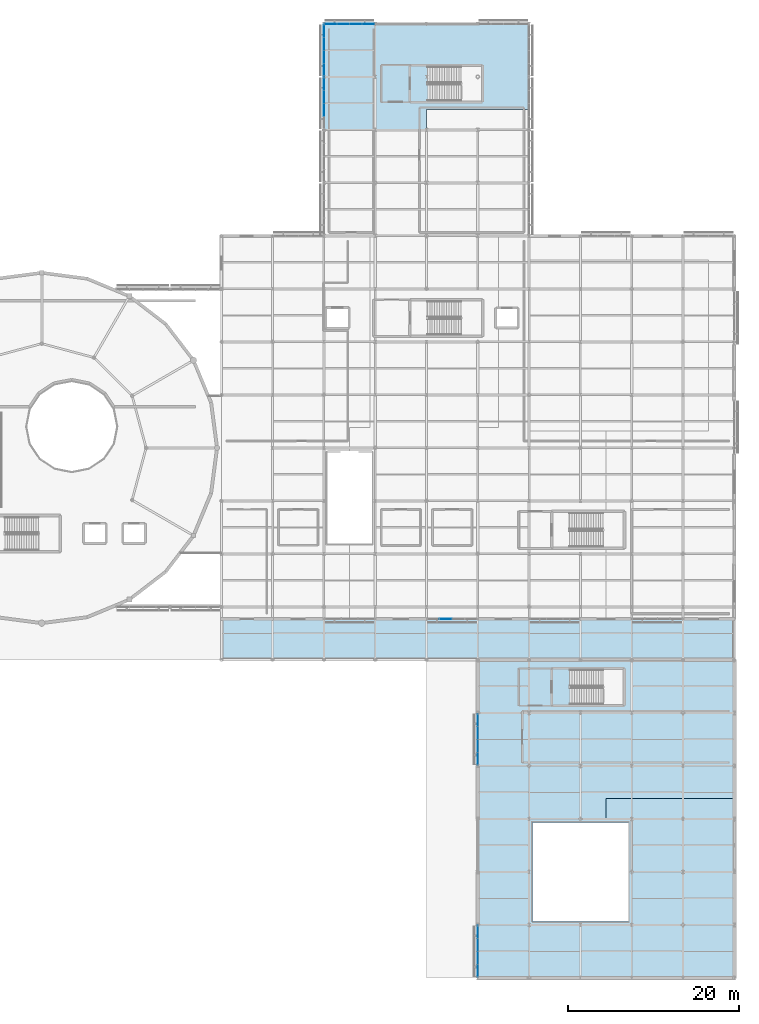
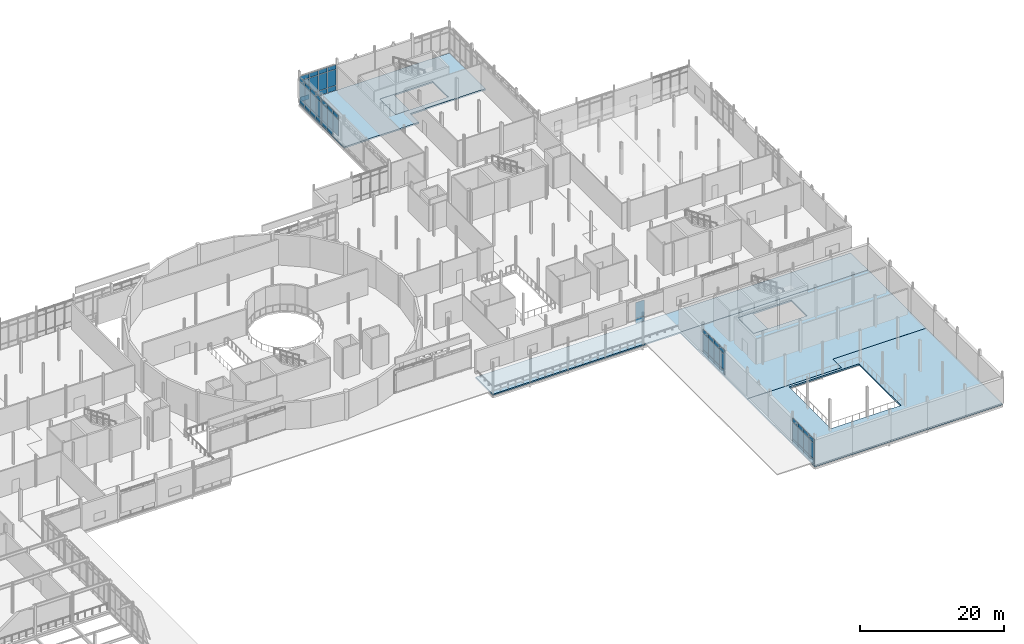
# One storey, part 62 of 105: 58 plates, 6 slabs, 6 elements without a shape of their own.
"""IFC4 building model written with IfcOpenShell, lengths in metres."""

from ifc_helpers import new_model, si_unit, direction, frame, origin, origin_2d, place, context, subcontext, project, spatial, polyline, rectangle, outline, extrude, material, layer, layer_set, type_object, element, aggregate, save


model = new_model("IFC4")

# Units and contexts
model_context = context("Model", 3, precision=1e-05, world=origin(), true_north=direction((0.0, 1.0)))
body_context = subcontext(model_context, "Body", "Model", "MODEL_VIEW")
ifc_project = project(units=[si_unit("LENGTHUNIT", "METRE"), si_unit("AREAUNIT", "SQUARE_METRE"), si_unit("VOLUMEUNIT", "CUBIC_METRE"), si_unit("PLANEANGLEUNIT", "RADIAN"), si_unit("MASSUNIT", "GRAM", prefix="KILO")], contexts=[model_context])

# Site, building, storey
site_placement = place(None, origin())
site = spatial("IfcSite", under=ifc_project, at=site_placement, CompositionType="ELEMENT")
building_placement = place(site_placement, origin())
building = spatial("IfcBuilding", under=site, at=building_placement, Name="Mirzam Square Science Centre", CompositionType="ELEMENT")
storey_placement = place(building_placement, frame((0.0, 0.0, 5.39990234375)))
storey = spatial("IfcBuildingStorey", under=building, at=storey_placement, Name="L01", CompositionType="ELEMENT", Elevation=5.39990234375)

# Curtain wall, plates
ifc_material_1 = material(Name="Anodised Aluminium and Low-E Solar Glass", Category="aluminium")
ifc_layer_1 = layer(ifc_material_1, 0.179931640625)
ifc_layer_set_1 = layer_set([ifc_layer_1], Name="CW-PARK-A")
curtain_wall_type_1 = type_object("IfcCurtainWallType", Name="CW-PARK-A", PredefinedType="USERDEFINED", material=ifc_layer_set_1)
curtain_wall_1_placement = place(storey_placement, origin())
curtain_wall_1 = element("IfcCurtainWall", 1, at=curtain_wall_1_placement, inside=storey, type_object=curtain_wall_type_1, Name="L01 unitised curtain wall 61", ObjectType="UNITISED CURTAIN WALL", PredefinedType="USERDEFINED")
ifc_material_2 = material(Name="Ceramic-Fritted Courtyard Solar Glass", Category="glass")
ifc_layer_2 = layer(ifc_material_2, 0.02392578125)
ifc_layer_set_2 = layer_set([ifc_layer_2], Name="CWP-GLZ-24")
plate_type_1 = type_object("IfcPlateType", Name="CWP-GLZ-24", PredefinedType="CURTAIN_PANEL", material=ifc_layer_set_2)
plate_1_placement = place(storey_placement, frame((132.0, 30.1650390625, 0.074951171875), z_axis=(0.0, 0.0, 1.0), x_axis=(0.0, -1.0, 0.0)))
plate_1 = element("IfcPlate", 2, at=plate_1_placement, type_object=plate_type_1, Name="CW-01 panel 1.1", PredefinedType="CURTAIN_PANEL", context=body_context, shape_type="SweptSolid", body=[
    extrude(rectangle(XDim=1.409912109375, YDim=0.02392578125, at=origin_2d()), origin(), (0.0, 0.0, 1.0), 0.78759765625),
])
plate_2_placement = place(storey_placement, frame((132.0, 30.1650390625, 0.9375), z_axis=(0.0, 0.0, 1.0), x_axis=(0.0, -1.0, 0.0)))
plate_2 = element("IfcPlate", 3, at=plate_2_placement, type_object=plate_type_1, Name="CW-01 panel 1.2", PredefinedType="CURTAIN_PANEL", context=body_context, shape_type="SweptSolid", body=[
    extrude(rectangle(XDim=1.409912109375, YDim=0.02392578125, at=origin_2d()), origin(), (0.0, 0.0, 1.0), 2.6650390625),
])
plate_3_placement = place(storey_placement, frame((132.0, 30.1650390625, 3.677490234375), z_axis=(0.0, 0.0, 1.0), x_axis=(0.0, -1.0, 0.0)))
plate_3 = element("IfcPlate", 4, at=plate_3_placement, type_object=plate_type_1, Name="CW-01 panel 1.3", PredefinedType="CURTAIN_PANEL", context=body_context, shape_type="SweptSolid", body=[
    extrude(rectangle(XDim=1.409912109375, YDim=0.02392578125, at=origin_2d()), origin(), (0.0, 0.0, 1.0), 0.6875),
])
plate_4_placement = place(storey_placement, frame((132.0, 28.6611328125, 0.074951171875), z_axis=(0.0, 0.0, 1.0), x_axis=(0.0, -1.0, 0.0)))
plate_4 = element("IfcPlate", 5, at=plate_4_placement, type_object=plate_type_1, Name="CW-01 panel 2.1", PredefinedType="CURTAIN_PANEL", context=body_context, shape_type="SweptSolid", body=[
    extrude(rectangle(XDim=1.447509765625, YDim=0.02392578125, at=origin_2d()), origin(), (0.0, 0.0, 1.0), 0.78759765625),
])
plate_5_placement = place(storey_placement, frame((132.0, 28.6611328125, 0.9375), z_axis=(0.0, 0.0, 1.0), x_axis=(0.0, -1.0, 0.0)))
plate_5 = element("IfcPlate", 6, at=plate_5_placement, type_object=plate_type_1, Name="CW-01 panel 2.2", PredefinedType="CURTAIN_PANEL", context=body_context, shape_type="SweptSolid", body=[
    extrude(rectangle(XDim=1.447509765625, YDim=0.02392578125, at=origin_2d()), origin(), (0.0, 0.0, 1.0), 2.6650390625),
])
plate_6_placement = place(storey_placement, frame((132.0, 28.6611328125, 3.677490234375), z_axis=(0.0, 0.0, 1.0), x_axis=(0.0, -1.0, 0.0)))
plate_6 = element("IfcPlate", 7, at=plate_6_placement, type_object=plate_type_1, Name="CW-01 panel 2.3", PredefinedType="CURTAIN_PANEL", context=body_context, shape_type="SweptSolid", body=[
    extrude(rectangle(XDim=1.447509765625, YDim=0.02392578125, at=origin_2d()), origin(), (0.0, 0.0, 1.0), 0.6875),
])
plate_7_placement = place(storey_placement, frame((132.0, 27.138671875, 0.074951171875), z_axis=(0.0, 0.0, 1.0), x_axis=(0.0, -1.0, 0.0)))
plate_7 = element("IfcPlate", 8, at=plate_7_placement, type_object=plate_type_1, Name="CW-01 panel 3.1", PredefinedType="CURTAIN_PANEL", context=body_context, shape_type="SweptSolid", body=[
    extrude(rectangle(XDim=1.447509765625, YDim=0.02392578125, at=origin_2d()), origin(), (0.0, 0.0, 1.0), 0.78759765625),
])
plate_8_placement = place(storey_placement, frame((132.0, 27.138671875, 0.9375), z_axis=(0.0, 0.0, 1.0), x_axis=(0.0, -1.0, 0.0)))
plate_8 = element("IfcPlate", 9, at=plate_8_placement, type_object=plate_type_1, Name="CW-01 panel 3.2", PredefinedType="CURTAIN_PANEL", context=body_context, shape_type="SweptSolid", body=[
    extrude(rectangle(XDim=1.447509765625, YDim=0.02392578125, at=origin_2d()), origin(), (0.0, 0.0, 1.0), 2.6650390625),
])
plate_9_placement = place(storey_placement, frame((132.0, 27.138671875, 3.677490234375), z_axis=(0.0, 0.0, 1.0), x_axis=(0.0, -1.0, 0.0)))
plate_9 = element("IfcPlate", 10, at=plate_9_placement, type_object=plate_type_1, Name="CW-01 panel 3.3", PredefinedType="CURTAIN_PANEL", context=body_context, shape_type="SweptSolid", body=[
    extrude(rectangle(XDim=1.447509765625, YDim=0.02392578125, at=origin_2d()), origin(), (0.0, 0.0, 1.0), 0.6875),
])
plate_10_placement = place(storey_placement, frame((132.0, 25.635009765625, 0.074951171875), z_axis=(0.0, 0.0, 1.0), x_axis=(0.0, -1.0, 0.0)))
plate_10 = element("IfcPlate", 11, at=plate_10_placement, type_object=plate_type_1, Name="CW-01 panel 4.1", PredefinedType="CURTAIN_PANEL", context=body_context, shape_type="SweptSolid", body=[
    extrude(rectangle(XDim=1.409912109375, YDim=0.02392578125, at=origin_2d()), origin(), (0.0, 0.0, 1.0), 0.78759765625),
])
plate_11_placement = place(storey_placement, frame((132.0, 25.635009765625, 0.9375), z_axis=(0.0, 0.0, 1.0), x_axis=(0.0, -1.0, 0.0)))
plate_11 = element("IfcPlate", 12, at=plate_11_placement, type_object=plate_type_1, Name="CW-01 panel 4.2", PredefinedType="CURTAIN_PANEL", context=body_context, shape_type="SweptSolid", body=[
    extrude(rectangle(XDim=1.409912109375, YDim=0.02392578125, at=origin_2d()), origin(), (0.0, 0.0, 1.0), 2.6650390625),
])
plate_12_placement = place(storey_placement, frame((132.0, 25.635009765625, 3.677490234375), z_axis=(0.0, 0.0, 1.0), x_axis=(0.0, -1.0, 0.0)))
plate_12 = element("IfcPlate", 13, at=plate_12_placement, type_object=plate_type_1, Name="CW-01 panel 4.3", PredefinedType="CURTAIN_PANEL", context=body_context, shape_type="SweptSolid", body=[
    extrude(rectangle(XDim=1.409912109375, YDim=0.02392578125, at=origin_2d()), origin(), (0.0, 0.0, 1.0), 0.6875),
])
aggregate(curtain_wall_1, [plate_1, plate_2, plate_3, plate_4, plate_5, plate_6, plate_7, plate_8, plate_9, plate_10, plate_11, plate_12])

ifc_layer_3 = layer(ifc_material_1, 0.159912109375)
ifc_layer_set_3 = layer_set([ifc_layer_3], Name="CW-COURT-B")
curtain_wall_type_2 = type_object("IfcCurtainWallType", Name="CW-COURT-B", PredefinedType="USERDEFINED", material=ifc_layer_set_3)
curtain_wall_2_placement = place(storey_placement, origin())
curtain_wall_2 = element("IfcCurtainWall", 14, at=curtain_wall_2_placement, inside=storey, type_object=curtain_wall_type_2, Name="L01 unitised curtain wall 96", ObjectType="UNITISED CURTAIN WALL", PredefinedType="USERDEFINED")
plate_13_placement = place(storey_placement, frame((114.0, 104.56884765625, 0.06005859375), z_axis=(0.0, 0.0, 1.0), x_axis=(0.0, -1.0, 0.0)))
plate_13 = element("IfcPlate", 15, at=plate_13_placement, type_object=plate_type_1, Name="CW-04 panel 1.1", PredefinedType="CURTAIN_PANEL", context=body_context, shape_type="SweptSolid", body=[
    extrude(rectangle(XDim=1.4326171875, YDim=0.02392578125, at=origin_2d()), origin(), (0.0, 0.0, 1.0), 0.81005859375),
])
plate_14_placement = place(storey_placement, frame((114.0, 104.56884765625, 0.93017578125), z_axis=(0.0, 0.0, 1.0), x_axis=(0.0, -1.0, 0.0)))
plate_14 = element("IfcPlate", 16, at=plate_14_placement, type_object=plate_type_1, Name="CW-04 panel 1.2", PredefinedType="CURTAIN_PANEL", context=body_context, shape_type="SweptSolid", body=[
    extrude(rectangle(XDim=1.4326171875, YDim=0.02392578125, at=origin_2d()), origin(), (0.0, 0.0, 1.0), 2.679931640625),
])
plate_15_placement = place(storey_placement, frame((114.0, 104.56884765625, 3.670166015625), z_axis=(0.0, 0.0, 1.0), x_axis=(0.0, -1.0, 0.0)))
plate_15 = element("IfcPlate", 17, at=plate_15_placement, type_object=plate_type_1, Name="CW-04 panel 1.3", PredefinedType="CURTAIN_PANEL", context=body_context, shape_type="SweptSolid", body=[
    extrude(rectangle(XDim=1.4326171875, YDim=0.02392578125, at=origin_2d()), origin(), (0.0, 0.0, 1.0), 0.7099609375),
])
plate_16_placement = place(storey_placement, frame((114.0, 103.061279296875, 0.06005859375), z_axis=(0.0, 0.0, 1.0), x_axis=(0.0, -1.0, 0.0)))
plate_16 = element("IfcPlate", 18, at=plate_16_placement, type_object=plate_type_1, Name="CW-04 panel 2.1", PredefinedType="CURTAIN_PANEL", context=body_context, shape_type="SweptSolid", body=[
    extrude(rectangle(XDim=1.46240234375, YDim=0.02392578125, at=origin_2d()), origin(), (0.0, 0.0, 1.0), 0.81005859375),
])
plate_17_placement = place(storey_placement, frame((114.0, 103.061279296875, 0.93017578125), z_axis=(0.0, 0.0, 1.0), x_axis=(0.0, -1.0, 0.0)))
plate_17 = element("IfcPlate", 19, at=plate_17_placement, type_object=plate_type_1, Name="CW-04 panel 2.2", PredefinedType="CURTAIN_PANEL", context=body_context, shape_type="SweptSolid", body=[
    extrude(rectangle(XDim=1.46240234375, YDim=0.02392578125, at=origin_2d()), origin(), (0.0, 0.0, 1.0), 2.679931640625),
])
plate_18_placement = place(storey_placement, frame((114.0, 103.061279296875, 3.670166015625), z_axis=(0.0, 0.0, 1.0), x_axis=(0.0, -1.0, 0.0)))
plate_18 = element("IfcPlate", 20, at=plate_18_placement, type_object=plate_type_1, Name="CW-04 panel 2.3", PredefinedType="CURTAIN_PANEL", context=body_context, shape_type="SweptSolid", body=[
    extrude(rectangle(XDim=1.46240234375, YDim=0.02392578125, at=origin_2d()), origin(), (0.0, 0.0, 1.0), 0.7099609375),
])
plate_19_placement = place(storey_placement, frame((114.0, 101.538818359375, 0.93017578125), z_axis=(0.0, 0.0, 1.0), x_axis=(0.0, -1.0, 0.0)))
plate_19 = element("IfcPlate", 21, at=plate_19_placement, type_object=plate_type_1, Name="CW-04 panel 3.2", PredefinedType="CURTAIN_PANEL", context=body_context, shape_type="SweptSolid", body=[
    extrude(rectangle(XDim=1.46240234375, YDim=0.02392578125, at=origin_2d()), origin(), (0.0, 0.0, 1.0), 2.679931640625),
])
plate_20_placement = place(storey_placement, frame((114.0, 101.538818359375, 3.670166015625), z_axis=(0.0, 0.0, 1.0), x_axis=(0.0, -1.0, 0.0)))
plate_20 = element("IfcPlate", 22, at=plate_20_placement, type_object=plate_type_1, Name="CW-04 panel 3.3", PredefinedType="CURTAIN_PANEL", context=body_context, shape_type="SweptSolid", body=[
    extrude(rectangle(XDim=1.46240234375, YDim=0.02392578125, at=origin_2d()), origin(), (0.0, 0.0, 1.0), 0.7099609375),
])
aggregate(curtain_wall_2, [plate_13, plate_14, plate_15, plate_16, plate_17, plate_18, plate_19, plate_20])

ifc_layer_4 = layer(ifc_material_1, 0.179931640625)
ifc_layer_set_4 = layer_set([ifc_layer_4], Name="CW-LINK-A")
curtain_wall_type_3 = type_object("IfcCurtainWallType", Name="CW-LINK-A", PredefinedType="USERDEFINED", material=ifc_layer_set_4)
curtain_wall_3_placement = place(storey_placement, origin())
curtain_wall_3 = element("IfcCurtainWall", 23, at=curtain_wall_3_placement, inside=storey, type_object=curtain_wall_type_3, Name="L01 unitised curtain wall 82", ObjectType="UNITISED CURTAIN WALL", PredefinedType="USERDEFINED")
ifc_material_3 = material(Name="Laminated Low-Iron Observatory Solar Glass", Category="glass")
ifc_layer_5 = layer(ifc_material_3, 0.035888671875)
ifc_layer_set_5 = layer_set([ifc_layer_5], Name="CWP-GLZ-36")
plate_type_2 = type_object("IfcPlateType", Name="CWP-GLZ-36", PredefinedType="CURTAIN_PANEL", material=ifc_layer_set_5)
plate_21_placement = place(storey_placement, frame((128.263671875, 42.0, 0.06494140625), z_axis=(0.0, 0.0, 1.0), x_axis=(1.0, 0.0, 0.0)))
plate_21 = element("IfcPlate", 24, at=plate_21_placement, type_object=plate_type_2, Name="CW-08 panel 2.1", PredefinedType="CURTAIN_PANEL", context=body_context, shape_type="SweptSolid", body=[
    extrude(rectangle(XDim=1.407470703125, YDim=0.035888671875, at=origin_2d()), origin(), (0.0, 0.0, 1.0), 0.802490234375),
])
plate_22_placement = place(storey_placement, frame((128.263671875, 42.0, 0.9326171875), z_axis=(0.0, 0.0, 1.0), x_axis=(1.0, 0.0, 0.0)))
plate_22 = element("IfcPlate", 25, at=plate_22_placement, type_object=plate_type_2, Name="CW-08 panel 2.2", PredefinedType="CURTAIN_PANEL", context=body_context, shape_type="SweptSolid", body=[
    extrude(rectangle(XDim=1.407470703125, YDim=0.035888671875, at=origin_2d()), origin(), (0.0, 0.0, 1.0), 2.675048828125),
])
aggregate(curtain_wall_3, [plate_21, plate_22])

ifc_layer_6 = layer(ifc_material_1, 0.199951171875)
ifc_layer_set_6 = layer_set([ifc_layer_6], Name="CW-EAST-A")
curtain_wall_type_4 = type_object("IfcCurtainWallType", Name="CW-EAST-A", PredefinedType="USERDEFINED", material=ifc_layer_set_6)
curtain_wall_4_placement = place(storey_placement, origin())
curtain_wall_4 = element("IfcCurtainWall", 26, at=curtain_wall_4_placement, inside=storey, type_object=curtain_wall_type_4, Name="L01 unitised curtain wall 60", ObjectType="UNITISED CURTAIN WALL", PredefinedType="USERDEFINED")
ifc_material_4 = material(Name="Acoustic Laminated Solar Spandrel Glass", Category="glass")
ifc_layer_7 = layer(ifc_material_4, 0.0400390625)
ifc_layer_set_7 = layer_set([ifc_layer_7], Name="CWP-GLZ-40")
plate_type_3 = type_object("IfcPlateType", Name="CWP-GLZ-40", PredefinedType="CURTAIN_PANEL", material=ifc_layer_set_7)
plate_23_placement = place(storey_placement, frame((132.0, 5.367431640625, 0.06494140625), z_axis=(0.0, 0.0, 1.0), x_axis=(0.0, -1.0, 0.0)))
plate_23 = element("IfcPlate", 27, at=plate_23_placement, type_object=plate_type_3, Name="CW-05 panel 1.1", PredefinedType="CURTAIN_PANEL", context=body_context, shape_type="SweptSolid", body=[
    extrude(rectangle(XDim=1.425048828125, YDim=0.0400390625, at=origin_2d()), origin(), (0.0, 0.0, 1.0), 0.802490234375),
])
plate_24_placement = place(storey_placement, frame((132.0, 5.367431640625, 0.9326171875), z_axis=(0.0, 0.0, 1.0), x_axis=(0.0, -1.0, 0.0)))
plate_24 = element("IfcPlate", 28, at=plate_24_placement, type_object=plate_type_3, Name="CW-05 panel 1.2", PredefinedType="CURTAIN_PANEL", context=body_context, shape_type="SweptSolid", body=[
    extrude(rectangle(XDim=1.425048828125, YDim=0.0400390625, at=origin_2d()), origin(), (0.0, 0.0, 1.0), 2.675048828125),
])
plate_25_placement = place(storey_placement, frame((132.0, 5.367431640625, 3.6728515625), z_axis=(0.0, 0.0, 1.0), x_axis=(0.0, -1.0, 0.0)))
plate_25 = element("IfcPlate", 29, at=plate_25_placement, type_object=plate_type_3, Name="CW-05 panel 1.3", PredefinedType="CURTAIN_PANEL", context=body_context, shape_type="SweptSolid", body=[
    extrude(rectangle(XDim=1.425048828125, YDim=0.0400390625, at=origin_2d()), origin(), (0.0, 0.0, 1.0), 0.702392578125),
])
plate_26_placement = place(storey_placement, frame((132.0, 3.861328125, 0.06494140625), z_axis=(0.0, 0.0, 1.0), x_axis=(0.0, -1.0, 0.0)))
plate_26 = element("IfcPlate", 30, at=plate_26_placement, type_object=plate_type_3, Name="CW-05 panel 2.1", PredefinedType="CURTAIN_PANEL", context=body_context, shape_type="SweptSolid", body=[
    extrude(rectangle(XDim=1.45751953125, YDim=0.0400390625, at=origin_2d()), origin(), (0.0, 0.0, 1.0), 0.802490234375),
])
plate_27_placement = place(storey_placement, frame((132.0, 3.861328125, 0.9326171875), z_axis=(0.0, 0.0, 1.0), x_axis=(0.0, -1.0, 0.0)))
plate_27 = element("IfcPlate", 31, at=plate_27_placement, type_object=plate_type_3, Name="CW-05 panel 2.2", PredefinedType="CURTAIN_PANEL", context=body_context, shape_type="SweptSolid", body=[
    extrude(rectangle(XDim=1.45751953125, YDim=0.0400390625, at=origin_2d()), origin(), (0.0, 0.0, 1.0), 2.675048828125),
])
plate_28_placement = place(storey_placement, frame((132.0, 3.861328125, 3.6728515625), z_axis=(0.0, 0.0, 1.0), x_axis=(0.0, -1.0, 0.0)))
plate_28 = element("IfcPlate", 32, at=plate_28_placement, type_object=plate_type_3, Name="CW-05 panel 2.3", PredefinedType="CURTAIN_PANEL", context=body_context, shape_type="SweptSolid", body=[
    extrude(rectangle(XDim=1.45751953125, YDim=0.0400390625, at=origin_2d()), origin(), (0.0, 0.0, 1.0), 0.702392578125),
])
plate_29_placement = place(storey_placement, frame((132.0, 2.3388671875, 0.06494140625), z_axis=(0.0, 0.0, 1.0), x_axis=(0.0, -1.0, 0.0)))
plate_29 = element("IfcPlate", 33, at=plate_29_placement, type_object=plate_type_3, Name="CW-05 panel 3.1", PredefinedType="CURTAIN_PANEL", context=body_context, shape_type="SweptSolid", body=[
    extrude(rectangle(XDim=1.45751953125, YDim=0.0400390625, at=origin_2d()), origin(), (0.0, 0.0, 1.0), 0.802490234375),
])
plate_30_placement = place(storey_placement, frame((132.0, 2.3388671875, 0.9326171875), z_axis=(0.0, 0.0, 1.0), x_axis=(0.0, -1.0, 0.0)))
plate_30 = element("IfcPlate", 34, at=plate_30_placement, type_object=plate_type_3, Name="CW-05 panel 3.2", PredefinedType="CURTAIN_PANEL", context=body_context, shape_type="SweptSolid", body=[
    extrude(rectangle(XDim=1.45751953125, YDim=0.0400390625, at=origin_2d()), origin(), (0.0, 0.0, 1.0), 2.675048828125),
])
plate_31_placement = place(storey_placement, frame((132.0, 2.3388671875, 3.6728515625), z_axis=(0.0, 0.0, 1.0), x_axis=(0.0, -1.0, 0.0)))
plate_31 = element("IfcPlate", 35, at=plate_31_placement, type_object=plate_type_3, Name="CW-05 panel 3.3", PredefinedType="CURTAIN_PANEL", context=body_context, shape_type="SweptSolid", body=[
    extrude(rectangle(XDim=1.45751953125, YDim=0.0400390625, at=origin_2d()), origin(), (0.0, 0.0, 1.0), 0.702392578125),
])
plate_32_placement = place(storey_placement, frame((132.0, 0.83251953125, 0.06494140625), z_axis=(0.0, 0.0, 1.0), x_axis=(0.0, -1.0, 0.0)))
plate_32 = element("IfcPlate", 36, at=plate_32_placement, type_object=plate_type_3, Name="CW-05 panel 4.1", PredefinedType="CURTAIN_PANEL", context=body_context, shape_type="SweptSolid", body=[
    extrude(rectangle(XDim=1.425048828125, YDim=0.0400390625, at=origin_2d()), origin(), (0.0, 0.0, 1.0), 0.802490234375),
])
plate_33_placement = place(storey_placement, frame((132.0, 0.83251953125, 0.9326171875), z_axis=(0.0, 0.0, 1.0), x_axis=(0.0, -1.0, 0.0)))
plate_33 = element("IfcPlate", 37, at=plate_33_placement, type_object=plate_type_3, Name="CW-05 panel 4.2", PredefinedType="CURTAIN_PANEL", context=body_context, shape_type="SweptSolid", body=[
    extrude(rectangle(XDim=1.425048828125, YDim=0.0400390625, at=origin_2d()), origin(), (0.0, 0.0, 1.0), 2.675048828125),
])
plate_34_placement = place(storey_placement, frame((132.0, 0.83251953125, 3.6728515625), z_axis=(0.0, 0.0, 1.0), x_axis=(0.0, -1.0, 0.0)))
plate_34 = element("IfcPlate", 38, at=plate_34_placement, type_object=plate_type_3, Name="CW-05 panel 4.3", PredefinedType="CURTAIN_PANEL", context=body_context, shape_type="SweptSolid", body=[
    extrude(rectangle(XDim=1.425048828125, YDim=0.0400390625, at=origin_2d()), origin(), (0.0, 0.0, 1.0), 0.702392578125),
])
aggregate(curtain_wall_4, [plate_23, plate_24, plate_25, plate_26, plate_27, plate_28, plate_29, plate_30, plate_31, plate_32, plate_33, plate_34])

curtain_wall_5_placement = place(storey_placement, origin())
curtain_wall_5 = element("IfcCurtainWall", 39, at=curtain_wall_5_placement, inside=storey, type_object=curtain_wall_type_2, Name="L01 unitised curtain wall 90", ObjectType="UNITISED CURTAIN WALL", PredefinedType="USERDEFINED")
plate_35_placement = place(storey_placement, frame((119.1923828125, 111.60009765625, 0.06494140625), z_axis=(0.0, 0.0, 1.0), x_axis=(-1.0, 0.0, 0.0)))
plate_35 = element("IfcPlate", 40, at=plate_35_placement, type_object=plate_type_3, Name="CW-04 panel 1.1", PredefinedType="CURTAIN_PANEL", context=body_context, shape_type="SweptSolid", body=[
    extrude(rectangle(XDim=1.375, YDim=0.0400390625, at=origin_2d()), origin(), (0.0, 0.0, 1.0), 0.802490234375),
])
plate_36_placement = place(storey_placement, frame((119.1923828125, 111.60009765625, 0.9326171875), z_axis=(0.0, 0.0, 1.0), x_axis=(-1.0, 0.0, 0.0)))
plate_36 = element("IfcPlate", 41, at=plate_36_placement, type_object=plate_type_3, Name="CW-04 panel 1.2", PredefinedType="CURTAIN_PANEL", context=body_context, shape_type="SweptSolid", body=[
    extrude(rectangle(XDim=1.375, YDim=0.0400390625, at=origin_2d()), origin(), (0.0, 0.0, 1.0), 2.675048828125),
])
plate_37_placement = place(storey_placement, frame((119.1923828125, 111.60009765625, 3.6728515625), z_axis=(0.0, 0.0, 1.0), x_axis=(-1.0, 0.0, 0.0)))
plate_37 = element("IfcPlate", 42, at=plate_37_placement, type_object=plate_type_3, Name="CW-04 panel 1.3", PredefinedType="CURTAIN_PANEL", context=body_context, shape_type="SweptSolid", body=[
    extrude(rectangle(XDim=1.375, YDim=0.0400390625, at=origin_2d()), origin(), (0.0, 0.0, 1.0), 0.702392578125),
])
plate_38_placement = place(storey_placement, frame((117.736328125, 111.60009765625, 0.06494140625), z_axis=(0.0, 0.0, 1.0), x_axis=(-1.0, 0.0, 0.0)))
plate_38 = element("IfcPlate", 43, at=plate_38_placement, type_object=plate_type_3, Name="CW-04 panel 2.1", PredefinedType="CURTAIN_PANEL", context=body_context, shape_type="SweptSolid", body=[
    extrude(rectangle(XDim=1.407470703125, YDim=0.0400390625, at=origin_2d()), origin(), (0.0, 0.0, 1.0), 0.802490234375),
])
plate_39_placement = place(storey_placement, frame((117.736328125, 111.60009765625, 0.9326171875), z_axis=(0.0, 0.0, 1.0), x_axis=(-1.0, 0.0, 0.0)))
plate_39 = element("IfcPlate", 44, at=plate_39_placement, type_object=plate_type_3, Name="CW-04 panel 2.2", PredefinedType="CURTAIN_PANEL", context=body_context, shape_type="SweptSolid", body=[
    extrude(rectangle(XDim=1.407470703125, YDim=0.0400390625, at=origin_2d()), origin(), (0.0, 0.0, 1.0), 2.675048828125),
])
plate_40_placement = place(storey_placement, frame((117.736328125, 111.60009765625, 3.6728515625), z_axis=(0.0, 0.0, 1.0), x_axis=(-1.0, 0.0, 0.0)))
plate_40 = element("IfcPlate", 45, at=plate_40_placement, type_object=plate_type_3, Name="CW-04 panel 2.3", PredefinedType="CURTAIN_PANEL", context=body_context, shape_type="SweptSolid", body=[
    extrude(rectangle(XDim=1.407470703125, YDim=0.0400390625, at=origin_2d()), origin(), (0.0, 0.0, 1.0), 0.702392578125),
])
plate_41_placement = place(storey_placement, frame((116.263671875, 111.60009765625, 0.06494140625), z_axis=(0.0, 0.0, 1.0), x_axis=(-1.0, 0.0, 0.0)))
plate_41 = element("IfcPlate", 46, at=plate_41_placement, type_object=plate_type_3, Name="CW-04 panel 3.1", PredefinedType="CURTAIN_PANEL", context=body_context, shape_type="SweptSolid", body=[
    extrude(rectangle(XDim=1.407470703125, YDim=0.0400390625, at=origin_2d()), origin(), (0.0, 0.0, 1.0), 0.802490234375),
])
plate_42_placement = place(storey_placement, frame((116.263671875, 111.60009765625, 0.9326171875), z_axis=(0.0, 0.0, 1.0), x_axis=(-1.0, 0.0, 0.0)))
plate_42 = element("IfcPlate", 47, at=plate_42_placement, type_object=plate_type_3, Name="CW-04 panel 3.2", PredefinedType="CURTAIN_PANEL", context=body_context, shape_type="SweptSolid", body=[
    extrude(rectangle(XDim=1.407470703125, YDim=0.0400390625, at=origin_2d()), origin(), (0.0, 0.0, 1.0), 2.675048828125),
])
plate_43_placement = place(storey_placement, frame((116.263671875, 111.60009765625, 3.6728515625), z_axis=(0.0, 0.0, 1.0), x_axis=(-1.0, 0.0, 0.0)))
plate_43 = element("IfcPlate", 48, at=plate_43_placement, type_object=plate_type_3, Name="CW-04 panel 3.3", PredefinedType="CURTAIN_PANEL", context=body_context, shape_type="SweptSolid", body=[
    extrude(rectangle(XDim=1.407470703125, YDim=0.0400390625, at=origin_2d()), origin(), (0.0, 0.0, 1.0), 0.702392578125),
])
plate_44_placement = place(storey_placement, frame((114.8076171875, 111.60009765625, 0.06494140625), z_axis=(0.0, 0.0, 1.0), x_axis=(-1.0, 0.0, 0.0)))
plate_44 = element("IfcPlate", 49, at=plate_44_placement, type_object=plate_type_3, Name="CW-04 panel 4.1", PredefinedType="CURTAIN_PANEL", context=body_context, shape_type="SweptSolid", body=[
    extrude(rectangle(XDim=1.375, YDim=0.0400390625, at=origin_2d()), origin(), (0.0, 0.0, 1.0), 0.802490234375),
])
plate_45_placement = place(storey_placement, frame((114.8076171875, 111.60009765625, 0.9326171875), z_axis=(0.0, 0.0, 1.0), x_axis=(-1.0, 0.0, 0.0)))
plate_45 = element("IfcPlate", 50, at=plate_45_placement, type_object=plate_type_3, Name="CW-04 panel 4.2", PredefinedType="CURTAIN_PANEL", context=body_context, shape_type="SweptSolid", body=[
    extrude(rectangle(XDim=1.375, YDim=0.0400390625, at=origin_2d()), origin(), (0.0, 0.0, 1.0), 2.675048828125),
])
plate_46_placement = place(storey_placement, frame((114.8076171875, 111.60009765625, 3.6728515625), z_axis=(0.0, 0.0, 1.0), x_axis=(-1.0, 0.0, 0.0)))
plate_46 = element("IfcPlate", 51, at=plate_46_placement, type_object=plate_type_3, Name="CW-04 panel 4.3", PredefinedType="CURTAIN_PANEL", context=body_context, shape_type="SweptSolid", body=[
    extrude(rectangle(XDim=1.375, YDim=0.0400390625, at=origin_2d()), origin(), (0.0, 0.0, 1.0), 0.702392578125),
])
aggregate(curtain_wall_5, [plate_35, plate_36, plate_37, plate_38, plate_39, plate_40, plate_41, plate_42, plate_43, plate_44, plate_45, plate_46])

curtain_wall_6_placement = place(storey_placement, origin())
curtain_wall_6 = element("IfcCurtainWall", 52, at=curtain_wall_6_placement, inside=storey, type_object=curtain_wall_type_4, Name="L01 unitised curtain wall 98", ObjectType="UNITISED CURTAIN WALL", PredefinedType="USERDEFINED")
plate_47_placement = place(storey_placement, frame((114.0, 110.767578125, 0.06494140625), z_axis=(0.0, 0.0, 1.0), x_axis=(0.0, -1.0, 0.0)))
plate_47 = element("IfcPlate", 53, at=plate_47_placement, type_object=plate_type_3, Name="CW-05 panel 1.1", PredefinedType="CURTAIN_PANEL", context=body_context, shape_type="SweptSolid", body=[
    extrude(rectangle(XDim=1.425048828125, YDim=0.0400390625, at=origin_2d()), origin(), (0.0, 0.0, 1.0), 0.802490234375),
])
plate_48_placement = place(storey_placement, frame((114.0, 110.767578125, 0.9326171875), z_axis=(0.0, 0.0, 1.0), x_axis=(0.0, -1.0, 0.0)))
plate_48 = element("IfcPlate", 54, at=plate_48_placement, type_object=plate_type_3, Name="CW-05 panel 1.2", PredefinedType="CURTAIN_PANEL", context=body_context, shape_type="SweptSolid", body=[
    extrude(rectangle(XDim=1.425048828125, YDim=0.0400390625, at=origin_2d()), origin(), (0.0, 0.0, 1.0), 2.675048828125),
])
plate_49_placement = place(storey_placement, frame((114.0, 110.767578125, 3.6728515625), z_axis=(0.0, 0.0, 1.0), x_axis=(0.0, -1.0, 0.0)))
plate_49 = element("IfcPlate", 55, at=plate_49_placement, type_object=plate_type_3, Name="CW-05 panel 1.3", PredefinedType="CURTAIN_PANEL", context=body_context, shape_type="SweptSolid", body=[
    extrude(rectangle(XDim=1.425048828125, YDim=0.0400390625, at=origin_2d()), origin(), (0.0, 0.0, 1.0), 0.702392578125),
])
plate_50_placement = place(storey_placement, frame((114.0, 109.26123046875, 0.06494140625), z_axis=(0.0, 0.0, 1.0), x_axis=(0.0, -1.0, 0.0)))
plate_50 = element("IfcPlate", 56, at=plate_50_placement, type_object=plate_type_3, Name="CW-05 panel 2.1", PredefinedType="CURTAIN_PANEL", context=body_context, shape_type="SweptSolid", body=[
    extrude(rectangle(XDim=1.45751953125, YDim=0.0400390625, at=origin_2d()), origin(), (0.0, 0.0, 1.0), 0.802490234375),
])
plate_51_placement = place(storey_placement, frame((114.0, 109.26123046875, 0.9326171875), z_axis=(0.0, 0.0, 1.0), x_axis=(0.0, -1.0, 0.0)))
plate_51 = element("IfcPlate", 57, at=plate_51_placement, type_object=plate_type_3, Name="CW-05 panel 2.2", PredefinedType="CURTAIN_PANEL", context=body_context, shape_type="SweptSolid", body=[
    extrude(rectangle(XDim=1.45751953125, YDim=0.0400390625, at=origin_2d()), origin(), (0.0, 0.0, 1.0), 2.675048828125),
])
plate_52_placement = place(storey_placement, frame((114.0, 109.26123046875, 3.6728515625), z_axis=(0.0, 0.0, 1.0), x_axis=(0.0, -1.0, 0.0)))
plate_52 = element("IfcPlate", 58, at=plate_52_placement, type_object=plate_type_3, Name="CW-05 panel 2.3", PredefinedType="CURTAIN_PANEL", context=body_context, shape_type="SweptSolid", body=[
    extrude(rectangle(XDim=1.45751953125, YDim=0.0400390625, at=origin_2d()), origin(), (0.0, 0.0, 1.0), 0.702392578125),
])
plate_53_placement = place(storey_placement, frame((114.0, 107.73876953125, 0.06494140625), z_axis=(0.0, 0.0, 1.0), x_axis=(0.0, -1.0, 0.0)))
plate_53 = element("IfcPlate", 59, at=plate_53_placement, type_object=plate_type_3, Name="CW-05 panel 3.1", PredefinedType="CURTAIN_PANEL", context=body_context, shape_type="SweptSolid", body=[
    extrude(rectangle(XDim=1.45751953125, YDim=0.0400390625, at=origin_2d()), origin(), (0.0, 0.0, 1.0), 0.802490234375),
])
plate_54_placement = place(storey_placement, frame((114.0, 107.73876953125, 0.9326171875), z_axis=(0.0, 0.0, 1.0), x_axis=(0.0, -1.0, 0.0)))
plate_54 = element("IfcPlate", 60, at=plate_54_placement, type_object=plate_type_3, Name="CW-05 panel 3.2", PredefinedType="CURTAIN_PANEL", context=body_context, shape_type="SweptSolid", body=[
    extrude(rectangle(XDim=1.45751953125, YDim=0.0400390625, at=origin_2d()), origin(), (0.0, 0.0, 1.0), 2.675048828125),
])
plate_55_placement = place(storey_placement, frame((114.0, 107.73876953125, 3.6728515625), z_axis=(0.0, 0.0, 1.0), x_axis=(0.0, -1.0, 0.0)))
plate_55 = element("IfcPlate", 61, at=plate_55_placement, type_object=plate_type_3, Name="CW-05 panel 3.3", PredefinedType="CURTAIN_PANEL", context=body_context, shape_type="SweptSolid", body=[
    extrude(rectangle(XDim=1.45751953125, YDim=0.0400390625, at=origin_2d()), origin(), (0.0, 0.0, 1.0), 0.702392578125),
])
plate_56_placement = place(storey_placement, frame((114.0, 106.232421875, 0.06494140625), z_axis=(0.0, 0.0, 1.0), x_axis=(0.0, -1.0, 0.0)))
plate_56 = element("IfcPlate", 62, at=plate_56_placement, type_object=plate_type_3, Name="CW-05 panel 4.1", PredefinedType="CURTAIN_PANEL", context=body_context, shape_type="SweptSolid", body=[
    extrude(rectangle(XDim=1.425048828125, YDim=0.0400390625, at=origin_2d()), origin(), (0.0, 0.0, 1.0), 0.802490234375),
])
plate_57_placement = place(storey_placement, frame((114.0, 106.232421875, 0.9326171875), z_axis=(0.0, 0.0, 1.0), x_axis=(0.0, -1.0, 0.0)))
plate_57 = element("IfcPlate", 63, at=plate_57_placement, type_object=plate_type_3, Name="CW-05 panel 4.2", PredefinedType="CURTAIN_PANEL", context=body_context, shape_type="SweptSolid", body=[
    extrude(rectangle(XDim=1.425048828125, YDim=0.0400390625, at=origin_2d()), origin(), (0.0, 0.0, 1.0), 2.675048828125),
])
plate_58_placement = place(storey_placement, frame((114.0, 106.232421875, 3.6728515625), z_axis=(0.0, 0.0, 1.0), x_axis=(0.0, -1.0, 0.0)))
plate_58 = element("IfcPlate", 64, at=plate_58_placement, type_object=plate_type_3, Name="CW-05 panel 4.3", PredefinedType="CURTAIN_PANEL", context=body_context, shape_type="SweptSolid", body=[
    extrude(rectangle(XDim=1.425048828125, YDim=0.0400390625, at=origin_2d()), origin(), (0.0, 0.0, 1.0), 0.702392578125),
])
aggregate(curtain_wall_6, [plate_47, plate_48, plate_49, plate_50, plate_51, plate_52, plate_53, plate_54, plate_55, plate_56, plate_57, plate_58])

# Slabs
ifc_material_5 = material(Name="Concrete C40/50", Category="concrete")
ifc_layer_8 = layer(ifc_material_5, 0.260009765625)
ifc_layer_set_8 = layer_set([ifc_layer_8], Name="SL-EXH-260")
slab_type_1 = type_object("IfcSlabType", Name="SL-EXH-260", PredefinedType="FLOOR", material=ifc_layer_set_8)
slab_1_placement = place(storey_placement, frame((0.0, 0.0, -0.260009765625)))
element("IfcSlab", 65, at=slab_1_placement, inside=storey, type_object=slab_type_1, Name="L01 se theatre 1 slab", PredefinedType="FLOOR", context=body_context, shape_type="SweptSolid", body=[
    extrude(outline(polyline([(147.0, 18.60009765625), (147.0, 21.0), (162.0, 21.0), (162.0, 0.0), (132.0, 0.0), (132.0, 18.60009765625), (147.0, 18.60009765625)]), holes=[polyline([(149.60009765625, 18.199951171875), (138.39990234375, 18.199951171875), (138.39990234375, 6.60009765625), (149.60009765625, 6.60009765625), (149.60009765625, 18.199951171875)])]), origin(), (0.0, 0.0, 1.0), 0.260009765625),
])
slab_2_placement = place(storey_placement, frame((0.0, 0.0, -0.260009765625)))
element("IfcSlab", 66, at=slab_2_placement, inside=storey, type_object=slab_type_1, Name="L01 se theatre 2 slab", PredefinedType="FLOOR", context=body_context, shape_type="SweptSolid", body=[
    extrude(outline(polyline([(132.0, 37.199951171875), (162.0, 37.199951171875), (162.0, 21.0048828125), (146.9951171875, 21.0048828125), (146.9951171875, 18.60498046875), (132.0, 18.60498046875), (132.0, 37.199951171875)]), holes=[polyline([(149.159912109375, 36.2099609375), (140.639892578125, 36.2099609375), (140.639892578125, 31.840087890625), (149.159912109375, 31.840087890625), (149.159912109375, 36.2099609375)])]), origin(), (0.0, 0.0, 1.0), 0.260009765625),
])
ifc_layer_9 = layer(ifc_material_5, 0.25)
ifc_layer_set_9 = layer_set([ifc_layer_9], Name="SL-LAB-250")
slab_type_2 = type_object("IfcSlabType", Name="SL-LAB-250", PredefinedType="FLOOR", material=ifc_layer_set_9)
slab_3_placement = place(storey_placement, frame((0.0, 0.0, -0.25)))
element("IfcSlab", 67, at=slab_3_placement, inside=storey, type_object=slab_type_2, Name="L01 ne obs base 2 slab", PredefinedType="FLOOR", context=body_context, shape_type="SweptSolid", body=[
    extrude(outline(polyline([(114.0, 111.60009765625), (138.0, 111.60009765625), (138.0, 101.60498046875), (125.9951171875, 101.60498046875), (125.9951171875, 99.205078125), (114.0, 99.205078125), (114.0, 111.60009765625)]), holes=[polyline([(132.56005859375, 102.43994140625), (132.56005859375, 106.77001953125), (124.0400390625, 106.77001953125), (124.0400390625, 102.43994140625), (132.56005859375, 102.43994140625)])]), origin(), (0.0, 0.0, 1.0), 0.25),
])
ifc_layer_10 = layer(ifc_material_5, 0.199951171875)
ifc_layer_set_10 = layer_set([ifc_layer_10], Name="SL-LANDING-200")
slab_type_3 = type_object("IfcSlabType", Name="SL-LANDING-200", PredefinedType="LANDING", material=ifc_layer_set_10)
slab_4_placement = place(storey_placement, frame((0.0, 0.0, -0.199951171875)))
element("IfcSlab", 68, at=slab_4_placement, inside=storey, type_object=slab_type_3, Name="L01 CORE-6 floor landing", PredefinedType="LANDING", context=body_context, shape_type="SweptSolid", body=[
    extrude(outline(polyline([(142.89990234375, 31.844970703125), (140.64501953125, 31.844970703125), (140.64501953125, 36.205078125), (142.89990234375, 36.205078125), (142.89990234375, 31.844970703125)])), origin(), (0.0, 0.0, 1.0), 0.199951171875),
])
slab_5_placement = place(storey_placement, frame((0.0, 0.0, -0.199951171875)))
element("IfcSlab", 69, at=slab_5_placement, inside=storey, type_object=slab_type_3, Name="L01 CORE-7 floor landing", PredefinedType="LANDING", context=body_context, shape_type="SweptSolid", body=[
    extrude(outline(polyline([(126.280029296875, 102.445068359375), (124.044921875, 102.445068359375), (124.044921875, 106.764892578125), (126.280029296875, 106.764892578125), (126.280029296875, 102.445068359375)])), origin(), (0.0, 0.0, 1.0), 0.199951171875),
])
ifc_layer_11 = layer(ifc_material_5, 0.219970703125)
ifc_layer_set_11 = layer_set([ifc_layer_11], Name="SL-TERR-220")
slab_type_4 = type_object("IfcSlabType", Name="SL-TERR-220", PredefinedType="FLOOR", material=ifc_layer_set_11)
slab_6_placement = place(storey_placement, frame((0.0, 0.0, -0.219970703125)))
element("IfcSlab", 70, at=slab_6_placement, inside=storey, type_object=slab_type_4, Name="L01 step terrace slab", PredefinedType="FLOOR", context=body_context, shape_type="SweptSolid", body=[
    extrude(outline(polyline([(102.0, 37.199951171875), (102.0, 41.9951171875), (162.0, 41.9951171875), (162.0, 37.205078125), (102.0, 37.199951171875)])), origin(), (0.0, 0.0, 1.0), 0.219970703125),
])

save(model, "model.ifc")
